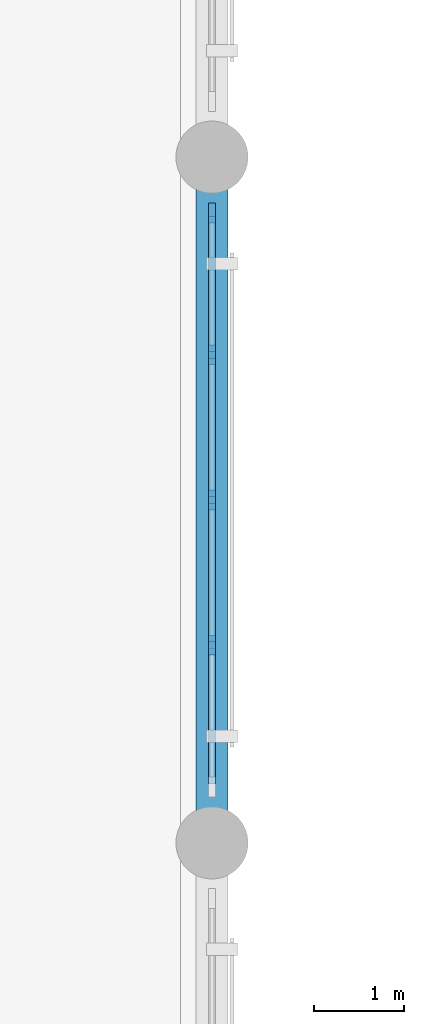
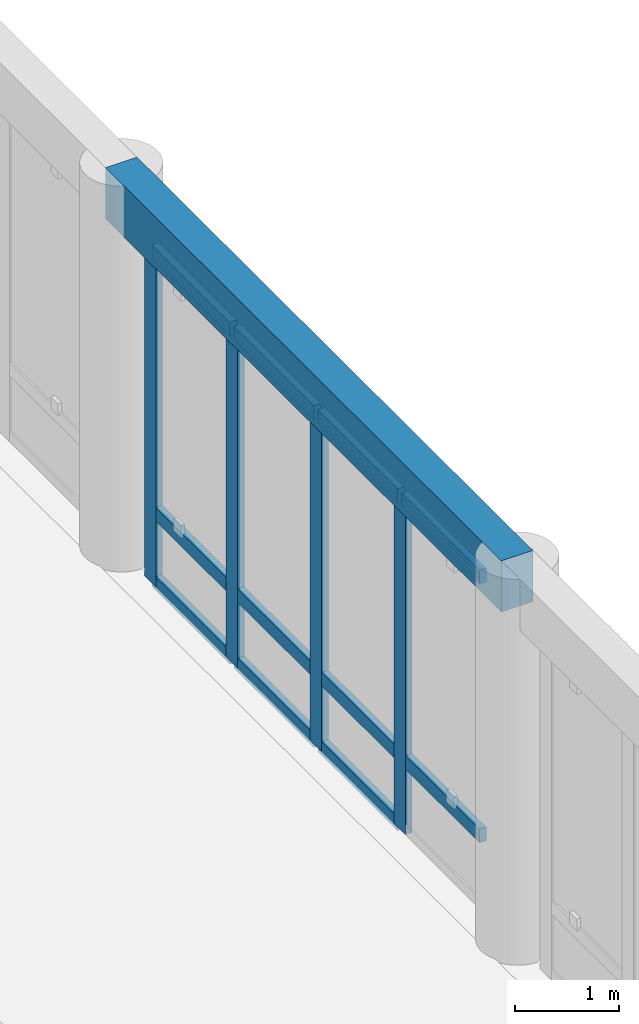
# One storey, part 8 of 57: 15 members, 1 beam, 1 element without a shape of its own.
"""IFC4 building model written with IfcOpenShell, lengths in metres."""

from ifc_helpers import new_model, si_unit, direction, frame, origin, origin_2d, place, context, subcontext, project, spatial, rectangle, extrude, material, material_profile, profile_set, type_object, element, aggregate, save


model = new_model("IFC4")

# Units and contexts
model_context = context("Model", 3, precision=1e-05, world=origin(), true_north=direction((0.0, 1.0)))
body_context = subcontext(model_context, "Body", "Model", "MODEL_VIEW")
ifc_project = project(units=[si_unit("LENGTHUNIT", "METRE"), si_unit("AREAUNIT", "SQUARE_METRE"), si_unit("VOLUMEUNIT", "CUBIC_METRE"), si_unit("PLANEANGLEUNIT", "RADIAN"), si_unit("MASSUNIT", "GRAM", prefix="KILO")], contexts=[model_context])

# Site, building, storey
site_placement = place(None, origin())
site = spatial("IfcSite", under=ifc_project, at=site_placement, CompositionType="ELEMENT")
building_placement = place(site_placement, origin())
building = spatial("IfcBuilding", under=site, at=building_placement, Name="Qandaris Square Conservatory and Botanical Centre", CompositionType="ELEMENT")
storey_placement = place(building_placement, frame((0.0, 0.0, 5.39990234375)))
storey = spatial("IfcBuildingStorey", under=building, at=storey_placement, Name="L01", CompositionType="ELEMENT", Elevation=5.39990234375)

# Curtain wall, members
ifc_material_1 = material(Name="Anodised Aluminium", Category="aluminium")
curtain_wall_type = type_object("IfcCurtainWallType", Name="Unitised Curtain Wall CW-1-644x392", PredefinedType="USERDEFINED", material=ifc_material_1)
curtain_wall_placement = place(storey_placement, origin())
curtain_wall = element("IfcCurtainWall", 1, at=curtain_wall_placement, inside=storey, type_object=curtain_wall_type, Name="Curtain Wall CW-CON-L01-3-3", ObjectType="GLAZED CURTAIN WALL", PredefinedType="USERDEFINED")
ifc_material_profile_1 = material_profile(ifc_material_1, rectangle(XDim=0.074951171875, YDim=0.219970703125, at=origin_2d()), Name="ALU-MUL 75x220")
ifc_profile_set_1 = profile_set([ifc_material_profile_1], Name="Anodised Aluminium")
member_type_1 = type_object("IfcMemberType", Name="Conservatory Heavy Mullion 75x220", PredefinedType="MULLION", material=ifc_profile_set_1)
member_1_placement = place(storey_placement, frame((57.199951171875, 71.989990234375, 0.0), z_axis=(0.0, 0.0, 1.0), x_axis=(-1.0, 0.0, 0.0)))
member_1 = element("IfcMember", 2, at=member_1_placement, type_object=member_type_1, Name="CW-1-644x392 mullion 2", PredefinedType="MULLION", context=body_context, shape_type="SweptSolid", body=[
    extrude(rectangle(XDim=0.074951171875, YDim=0.219970703125, at=origin_2d()), origin(), (0.0, 0.0, 1.0), 3.920166015625),
])
member_2_placement = place(storey_placement, frame((57.199951171875, 73.60009765625, 0.0), z_axis=(0.0, 0.0, 1.0), x_axis=(-1.0, 0.0, 0.0)))
member_2 = element("IfcMember", 3, at=member_2_placement, type_object=member_type_1, Name="CW-1-644x392 mullion 3", PredefinedType="MULLION", context=body_context, shape_type="SweptSolid", body=[
    extrude(rectangle(XDim=0.074951171875, YDim=0.219970703125, at=origin_2d()), origin(), (0.0, 0.0, 1.0), 3.920166015625),
])
member_3_placement = place(storey_placement, frame((57.199951171875, 75.2099609375, 0.0), z_axis=(0.0, 0.0, 1.0), x_axis=(-1.0, 0.0, 0.0)))
member_3 = element("IfcMember", 4, at=member_3_placement, type_object=member_type_1, Name="CW-1-644x392 mullion 4", PredefinedType="MULLION", context=body_context, shape_type="SweptSolid", body=[
    extrude(rectangle(XDim=0.074951171875, YDim=0.219970703125, at=origin_2d()), origin(), (0.0, 0.0, 1.0), 3.920166015625),
])
member_4_placement = place(storey_placement, frame((57.199951171875, 76.782470703125, 0.0), z_axis=(0.0, 0.0, 1.0), x_axis=(-1.0, 0.0, 0.0)))
member_4 = element("IfcMember", 5, at=member_4_placement, type_object=member_type_1, Name="CW-1-644x392 mullion 5", PredefinedType="MULLION", context=body_context, shape_type="SweptSolid", body=[
    extrude(rectangle(XDim=0.074951171875, YDim=0.219970703125, at=origin_2d()), origin(), (0.0, 0.0, 1.0), 3.920166015625),
])
ifc_material_profile_2 = material_profile(ifc_material_1, rectangle(XDim=0.074951171875, YDim=0.159912109375, at=origin_2d()), Name="ALU-TRN 75x160")
ifc_profile_set_2 = profile_set([ifc_material_profile_2], Name="Anodised Aluminium")
member_type_2 = type_object("IfcMemberType", Name="Conservatory Heavy Transom 75x160", PredefinedType="USERDEFINED", material=ifc_profile_set_2)
member_5_placement = place(storey_placement, frame((57.199951171875, 70.455078125, 0.85009765625), z_axis=(0.0, 1.0, 0.0), x_axis=(-1.0, 0.0, 0.0)))
member_5 = element("IfcMember", 6, at=member_5_placement, type_object=member_type_2, Name="CW-1-644x392 transom 1.2", ObjectType="TRANSOM", PredefinedType="USERDEFINED", context=body_context, shape_type="SweptSolid", body=[
    extrude(rectangle(XDim=0.074951171875, YDim=0.159912109375, at=origin_2d()), origin(), (0.0, 0.0, 1.0), 1.497314453125),
])
member_6_placement = place(storey_placement, frame((57.199951171875, 70.455078125, 3.882568359375), z_axis=(0.0, 1.0, 0.0), x_axis=(-1.0, 0.0, 0.0)))
member_6 = element("IfcMember", 7, at=member_6_placement, type_object=member_type_2, Name="CW-1-644x392 transom 1.3", ObjectType="TRANSOM", PredefinedType="USERDEFINED", context=body_context, shape_type="SweptSolid", body=[
    extrude(rectangle(XDim=0.074951171875, YDim=0.159912109375, at=origin_2d()), origin(), (0.0, 0.0, 1.0), 1.497314453125),
])
member_7_placement = place(storey_placement, frame((57.199951171875, 72.027587890625, 0.03759765625), z_axis=(0.0, 1.0, 0.0), x_axis=(-1.0, 0.0, 0.0)))
member_7 = element("IfcMember", 8, at=member_7_placement, type_object=member_type_2, Name="CW-1-644x392 transom 2.1", ObjectType="TRANSOM", PredefinedType="USERDEFINED", context=body_context, shape_type="SweptSolid", body=[
    extrude(rectangle(XDim=0.074951171875, YDim=0.159912109375, at=origin_2d()), origin(), (0.0, 0.0, 1.0), 1.534912109375),
])
member_8_placement = place(storey_placement, frame((57.199951171875, 72.027587890625, 0.85009765625), z_axis=(0.0, 1.0, 0.0), x_axis=(-1.0, 0.0, 0.0)))
member_8 = element("IfcMember", 9, at=member_8_placement, type_object=member_type_2, Name="CW-1-644x392 transom 2.2", ObjectType="TRANSOM", PredefinedType="USERDEFINED", context=body_context, shape_type="SweptSolid", body=[
    extrude(rectangle(XDim=0.074951171875, YDim=0.159912109375, at=origin_2d()), origin(), (0.0, 0.0, 1.0), 1.534912109375),
])
member_9_placement = place(storey_placement, frame((57.199951171875, 72.027587890625, 3.882568359375), z_axis=(0.0, 1.0, 0.0), x_axis=(-1.0, 0.0, 0.0)))
member_9 = element("IfcMember", 10, at=member_9_placement, type_object=member_type_2, Name="CW-1-644x392 transom 2.3", ObjectType="TRANSOM", PredefinedType="USERDEFINED", context=body_context, shape_type="SweptSolid", body=[
    extrude(rectangle(XDim=0.074951171875, YDim=0.159912109375, at=origin_2d()), origin(), (0.0, 0.0, 1.0), 1.534912109375),
])
member_10_placement = place(storey_placement, frame((57.199951171875, 73.637451171875, 0.03759765625), z_axis=(0.0, 1.0, 0.0), x_axis=(-1.0, 0.0, 0.0)))
member_10 = element("IfcMember", 11, at=member_10_placement, type_object=member_type_2, Name="CW-1-644x392 transom 3.1", ObjectType="TRANSOM", PredefinedType="USERDEFINED", context=body_context, shape_type="SweptSolid", body=[
    extrude(rectangle(XDim=0.074951171875, YDim=0.159912109375, at=origin_2d()), origin(), (0.0, 0.0, 1.0), 1.53515625),
])
member_11_placement = place(storey_placement, frame((57.199951171875, 73.637451171875, 0.85009765625), z_axis=(0.0, 1.0, 0.0), x_axis=(-1.0, 0.0, 0.0)))
member_11 = element("IfcMember", 12, at=member_11_placement, type_object=member_type_2, Name="CW-1-644x392 transom 3.2", ObjectType="TRANSOM", PredefinedType="USERDEFINED", context=body_context, shape_type="SweptSolid", body=[
    extrude(rectangle(XDim=0.074951171875, YDim=0.159912109375, at=origin_2d()), origin(), (0.0, 0.0, 1.0), 1.53515625),
])
member_12_placement = place(storey_placement, frame((57.199951171875, 73.637451171875, 3.882568359375), z_axis=(0.0, 1.0, 0.0), x_axis=(-1.0, 0.0, 0.0)))
member_12 = element("IfcMember", 13, at=member_12_placement, type_object=member_type_2, Name="CW-1-644x392 transom 3.3", ObjectType="TRANSOM", PredefinedType="USERDEFINED", context=body_context, shape_type="SweptSolid", body=[
    extrude(rectangle(XDim=0.074951171875, YDim=0.159912109375, at=origin_2d()), origin(), (0.0, 0.0, 1.0), 1.53515625),
])
member_13_placement = place(storey_placement, frame((57.199951171875, 75.24755859375, 0.03759765625), z_axis=(0.0, 1.0, 0.0), x_axis=(-1.0, 0.0, 0.0)))
member_13 = element("IfcMember", 14, at=member_13_placement, type_object=member_type_2, Name="CW-1-644x392 transom 4.1", ObjectType="TRANSOM", PredefinedType="USERDEFINED", context=body_context, shape_type="SweptSolid", body=[
    extrude(rectangle(XDim=0.074951171875, YDim=0.159912109375, at=origin_2d()), origin(), (0.0, 0.0, 1.0), 1.49755859375),
])
member_14_placement = place(storey_placement, frame((57.199951171875, 75.24755859375, 0.85009765625), z_axis=(0.0, 1.0, 0.0), x_axis=(-1.0, 0.0, 0.0)))
member_14 = element("IfcMember", 15, at=member_14_placement, type_object=member_type_2, Name="CW-1-644x392 transom 4.2", ObjectType="TRANSOM", PredefinedType="USERDEFINED", context=body_context, shape_type="SweptSolid", body=[
    extrude(rectangle(XDim=0.074951171875, YDim=0.159912109375, at=origin_2d()), origin(), (0.0, 0.0, 1.0), 1.49755859375),
])
member_15_placement = place(storey_placement, frame((57.199951171875, 75.24755859375, 3.882568359375), z_axis=(0.0, 1.0, 0.0), x_axis=(-1.0, 0.0, 0.0)))
member_15 = element("IfcMember", 16, at=member_15_placement, type_object=member_type_2, Name="CW-1-644x392 transom 4.3", ObjectType="TRANSOM", PredefinedType="USERDEFINED", context=body_context, shape_type="SweptSolid", body=[
    extrude(rectangle(XDim=0.074951171875, YDim=0.159912109375, at=origin_2d()), origin(), (0.0, 0.0, 1.0), 1.49755859375),
])
aggregate(curtain_wall, [member_1, member_2, member_3, member_4, member_5, member_6, member_7, member_8, member_9, member_10, member_11, member_12, member_13, member_14, member_15])

# Beam
ifc_material_2 = material(Name="Concrete C50/60", Category="concrete")
ifc_material_profile_3 = material_profile(ifc_material_2, rectangle(XDim=0.35009765625, YDim=0.60009765625, at=origin_2d()), Name="RC-SP 350x600")
ifc_profile_set_3 = profile_set([ifc_material_profile_3], Name="Concrete C50/60")
beam_type = type_object("IfcBeamType", Name="RC Edge Spandrel Beam 350x600", PredefinedType="SPANDREL", material=ifc_profile_set_3)
beam_placement = place(storey_placement, frame((57.199951171875, 69.800048828125, 4.22021484375), z_axis=(0.0, 1.0, 0.0), x_axis=(-1.0, 0.0, 0.0)))
element("IfcBeam", 17, at=beam_placement, inside=storey, type_object=beam_type, Name="L01 Frame Beam 1042", PredefinedType="SPANDREL", context=body_context, shape_type="SweptSolid", body=[
    extrude(rectangle(XDim=0.35009765625, YDim=0.60009765625, at=origin_2d()), origin(), (0.0, 0.0, 1.0), 7.599853515625),
])

save(model, "model.ifc")
